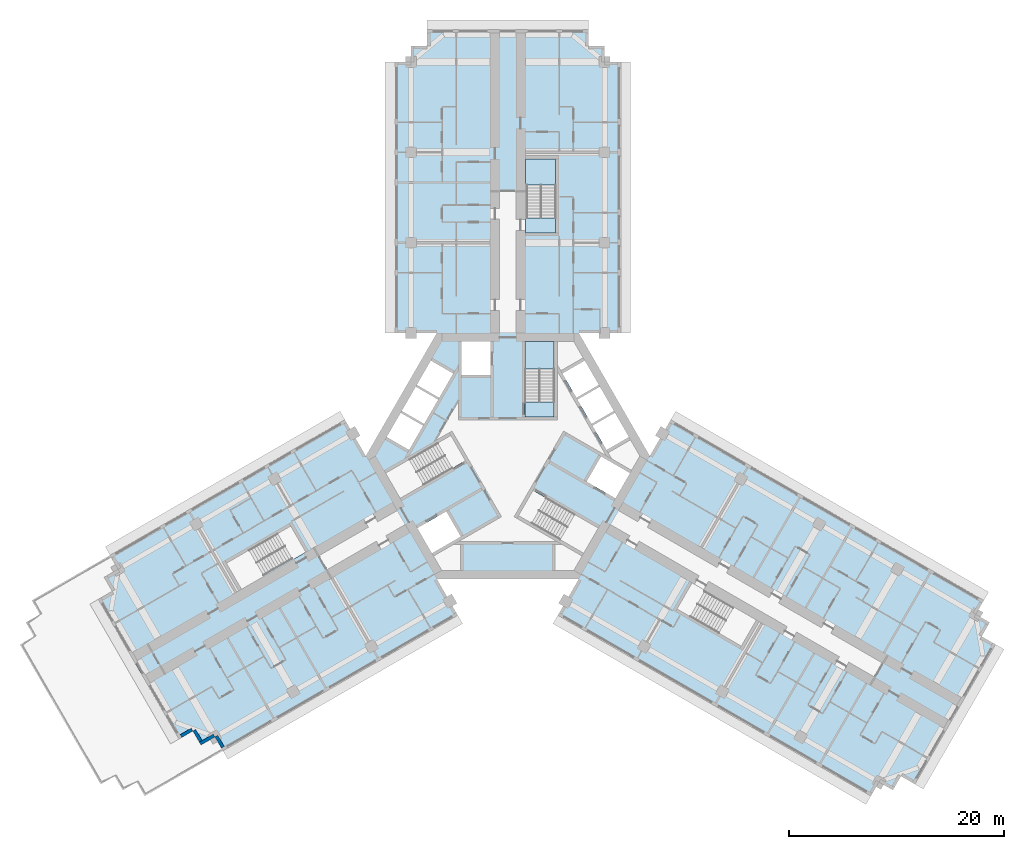
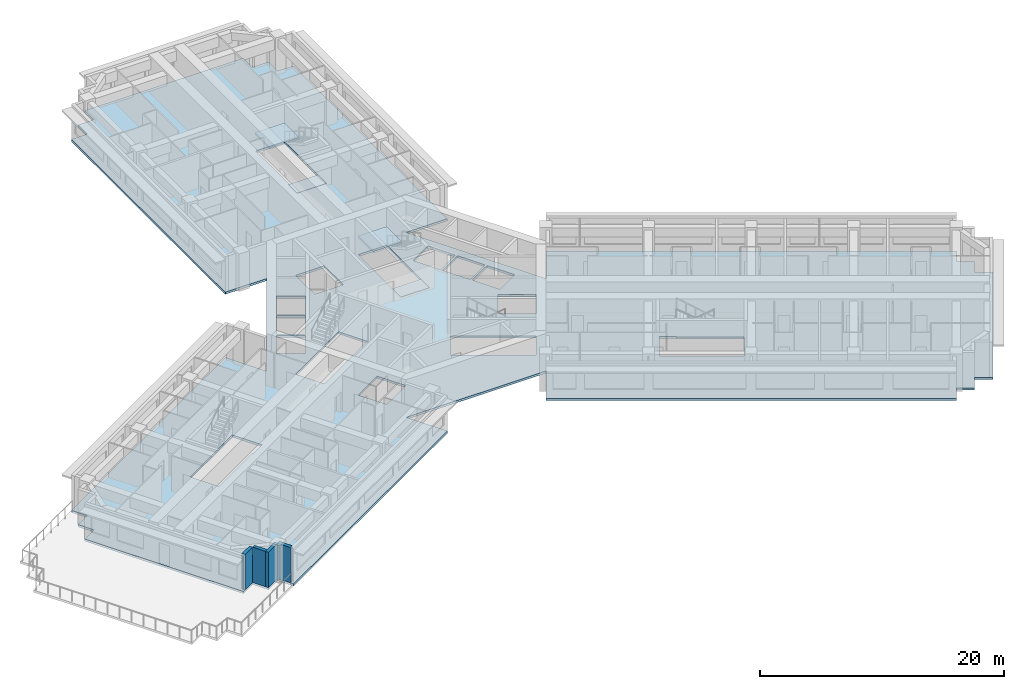
# One storey, part 2 of 15: 5 slabs, 4 walls, 2 elements without a shape of their own.
"""IFC4 building model written with IfcOpenShell, lengths in metres."""

from ifc_helpers import new_model, si_unit, direction, frame, frame_2d, origin, place, context, subcontext, project, spatial, polyline, rectangle, outline, extrude, material, layer, layer_set, type_object, element, aggregate, save


model = new_model("IFC4")

# Units and contexts
model_context = context("Model", 3, precision=1e-05, world=origin(), true_north=direction((0.0, 1.0)))
body_context = subcontext(model_context, "Body", "Model", "MODEL_VIEW")
ifc_project = project(units=[si_unit("LENGTHUNIT", "METRE"), si_unit("AREAUNIT", "SQUARE_METRE"), si_unit("VOLUMEUNIT", "CUBIC_METRE"), si_unit("PLANEANGLEUNIT", "RADIAN"), si_unit("MASSUNIT", "GRAM", prefix="KILO")], contexts=[model_context])

# Site, building, storey
site_placement = place(None, origin())
site = spatial("IfcSite", under=ifc_project, at=site_placement, CompositionType="ELEMENT")
building_placement = place(site_placement, origin())
building = spatial("IfcBuilding", under=site, at=building_placement, Name="Impinga Residences", CompositionType="ELEMENT")
storey_placement = place(building_placement, frame((0.0, 0.0, 132.25)))
storey = spatial("IfcBuildingStorey", under=building, at=storey_placement, Name="L32", CompositionType="ELEMENT", Elevation=132.25)

# Slab
ifc_material_1 = material(Name="Concrete C60/75", Category="concrete")
ifc_layer_1 = layer(ifc_material_1, 0.219970703125)
ifc_layer_set_1 = layer_set([ifc_layer_1], Name="Concrete C60/75")
slab_type_1 = type_object("IfcSlabType", Name="FS1 tower floor slab 220", PredefinedType="FLOOR", material=ifc_layer_set_1)
slab_1_placement = place(storey_placement, frame((0.0, 0.0, -0.219970703125)))
element("IfcSlab", 1, at=slab_1_placement, inside=storey, type_object=slab_type_1, Name="Floor slab FS1 L32", PredefinedType="FLOOR", context=body_context, shape_type="SweptSolid", body=[
    extrude(outline(polyline([(43.49853515625, -14.721435546875), (44.797607421875, -15.471435546875), (44.047607421875, -16.7705078125), (45.346435546875, -17.5205078125), (37.846435546875, -30.510986328125), (36.547607421875, -29.760986328125), (35.797607421875, -31.06005859375), (34.49853515625, -30.31005859375), (33.74853515625, -31.609130859375), (4.64990234375, -14.80908203125), (9.900146484375, -5.7158203125), (6.60009765625, -11.431640625), (-6.60009765625, -11.431640625), (-9.900146484375, -5.7158203125), (-4.64990234375, -14.80908203125), (-26.473876953125, -27.408935546875), (-27.223876953125, -26.110107421875), (-28.52294921875, -26.860107421875), (-29.27294921875, -25.56103515625), (-30.572021484375, -26.31103515625), (-38.072021484375, -13.320556640625), (-36.77294921875, -12.570556640625), (-37.52294921875, -11.271484375), (-36.223876953125, -10.521484375), (-36.973876953125, -9.222412109375), (-15.14990234375, 3.37744140625), (-13.199951171875, 0.0), (-6.60009765625, 11.431640625), (-10.5, 11.431640625), (-10.5, 36.631591796875), (-9.0, 36.631591796875), (-9.0, 38.131591796875), (-7.5, 38.131591796875), (-7.5, 39.631591796875), (7.5, 39.631591796875), (7.5, 38.131591796875), (9.0, 38.131591796875), (9.0, 36.631591796875), (10.5, 36.631591796875), (10.5, 11.431640625), (6.60009765625, 11.431640625), (13.199951171875, 0.0), (15.14990234375, 3.37744140625), (44.24853515625, -13.422607421875), (43.49853515625, -14.721435546875)]), holes=[polyline([(-18.779052734375, -8.936767578125), (-18.8291015625, -8.850341796875), (-18.8291015625, -8.850341796875), (-20.178955078125, -6.511962890625), (-21.391357421875, -7.2119140625), (-21.391357421875, -7.2119140625), (-26.154541015625, -9.9619140625), (-24.8046875, -12.30029296875), (-20.04150390625, -9.55029296875), (-19.991455078125, -9.63671875), (-18.779052734375, -8.936767578125)]), polyline([(-4.37109375, -7.489013671875), (-5.72119140625, -5.150634765625), (-8.4072265625, -6.701416015625), (-7.05712890625, -9.039794921875), (-4.37109375, -7.489013671875)]), polyline([(-3.943603515625, -0.429443359375), (-5.293701171875, 1.908935546875), (-11.357177734375, -1.591796875), (-10.007080078125, -3.93017578125), (-3.943603515625, -0.429443359375)]), polyline([(-7.878662109375, 2.816650390625), (-9.957275390625, 4.016845703125), (-11.257080078125, 1.76513671875), (-9.1787109375, 0.56494140625), (-7.878662109375, 2.816650390625)]), polyline([(-6.478759765625, 5.24169921875), (-8.55712890625, 6.441650390625), (-9.857177734375, 4.18994140625), (-7.77880859375, 2.989990234375), (-6.478759765625, 5.24169921875)]), polyline([(4.300048828125, 3.6298828125), (4.300048828125, 10.631591796875), (1.60009765625, 10.631591796875), (1.60009765625, 3.6298828125), (4.300048828125, 3.6298828125)]), polyline([(-6.378662109375, 5.414794921875), (-5.07861328125, 7.66650390625), (-7.1572265625, 8.866455078125), (-8.457275390625, 6.61474609375), (-6.378662109375, 5.414794921875)]), polyline([(-4.300048828125, 7.530029296875), (-1.60009765625, 7.530029296875), (-1.60009765625, 10.631591796875), (-4.300048828125, 10.631591796875), (-4.300048828125, 7.530029296875)]), polyline([(4.449951171875, 20.7314453125), (4.449951171875, 22.131591796875), (4.449951171875, 27.631591796875), (1.75, 27.631591796875), (1.75, 22.131591796875), (1.64990234375, 22.131591796875), (1.64990234375, 20.7314453125), (1.75, 20.7314453125), (4.449951171875, 20.7314453125)]), polyline([(15.72900390625, -14.219482421875), (21.70458984375, -17.669677734375), (23.0546875, -15.331298828125), (18.29150390625, -12.581298828125), (18.341552734375, -12.49462890625), (17.129150390625, -11.794677734375), (15.72900390625, -14.219482421875)]), polyline([(2.34375, -3.20068359375), (0.99365234375, -5.538818359375), (7.05712890625, -9.039794921875), (8.4072265625, -6.701416015625), (2.34375, -3.20068359375)]), polyline([(7.3212890625, -2.37939453125), (10.007080078125, -3.93017578125), (11.357177734375, -1.591796875), (8.671142578125, -0.041015625), (7.3212890625, -2.37939453125)]), polyline([(7.878662109375, 2.816650390625), (9.1787109375, 0.56494140625), (11.257080078125, 1.76513671875), (9.957275390625, 4.016845703125), (7.878662109375, 2.816650390625)]), polyline([(6.478759765625, 5.24169921875), (7.77880859375, 2.989990234375), (9.857177734375, 4.18994140625), (8.55712890625, 6.441650390625), (6.478759765625, 5.24169921875)]), polyline([(6.378662109375, 5.414794921875), (8.457275390625, 6.61474609375), (7.1572265625, 8.866455078125), (5.07861328125, 7.66650390625), (6.378662109375, 5.414794921875)])]), origin(), (0.0, 0.0, 1.0), 0.219970703125),
])

# Stair, slabs
ifc_material_2 = material(Name="Concrete C40/50", Category="concrete")
stair_type_1 = type_object("IfcStairType", Name="STR core stair 3750 storey, 24 risers", PredefinedType="HALF_TURN_STAIR", material=ifc_material_2)
stair_1_placement = place(storey_placement, origin())
stair_1 = element("IfcStair", 2, at=stair_1_placement, inside=storey, type_object=stair_type_1, Name="Stair ST1 L32", PredefinedType="HALF_TURN_STAIR")
ifc_layer_2 = layer(ifc_material_2, 0.199951171875)
ifc_layer_set_2 = layer_set([ifc_layer_2], Name="Concrete C40/50")
slab_type_2 = type_object("IfcSlabType", Name="LS1 stair landing 200", PredefinedType="LANDING", material=ifc_layer_set_2)
slab_2_placement = place(storey_placement, frame((0.0, 0.0, -0.199951171875)))
slab_2 = element("IfcSlab", 3, at=slab_2_placement, type_object=slab_type_2, Name="ST1 landing 1", PredefinedType="LANDING", context=body_context, shape_type="SweptSolid", body=[
    extrude(outline(polyline([(1.60009765625, 3.6298828125), (4.300048828125, 3.6298828125), (4.300048828125, 5.0400390625), (1.60009765625, 5.0400390625), (1.60009765625, 3.6298828125)])), origin(), (0.0, 0.0, 1.0), 0.199951171875),
])
slab_3_placement = place(storey_placement, frame((0.0, 0.0, 1.675048828125)))
slab_3 = element("IfcSlab", 4, at=slab_3_placement, type_object=slab_type_2, Name="ST1 landing 2", PredefinedType="LANDING", context=body_context, shape_type="SweptSolid", body=[
    extrude(outline(polyline([(1.60009765625, 8.10009765625), (4.300048828125, 8.10009765625), (4.300048828125, 10.631591796875), (1.60009765625, 10.631591796875), (1.60009765625, 8.10009765625)])), origin(), (0.0, 0.0, 1.0), 0.199951171875),
])
aggregate(stair_1, [slab_2, slab_3])

stair_type_2 = type_object("IfcStairType", Name="STR wing stair 3750 storey, 24 risers", PredefinedType="HALF_TURN_STAIR", material=ifc_material_2)
stair_2_placement = place(storey_placement, origin())
stair_2 = element("IfcStair", 5, at=stair_2_placement, inside=storey, type_object=stair_type_2, Name="Stair WS1 L32", PredefinedType="HALF_TURN_STAIR")
slab_4_placement = place(storey_placement, frame((0.0, 0.0, -0.199951171875)))
slab_4 = element("IfcSlab", 6, at=slab_4_placement, type_object=slab_type_2, Name="WS1 landing 1", PredefinedType="LANDING", context=body_context, shape_type="SweptSolid", body=[
    extrude(outline(polyline([(1.64990234375, 20.7314453125), (4.449951171875, 20.7314453125), (4.449951171875, 22.1416015625), (1.64990234375, 22.1416015625), (1.64990234375, 20.7314453125)])), origin(), (0.0, 0.0, 1.0), 0.199951171875),
])
slab_5_placement = place(storey_placement, frame((0.0, 0.0, 1.675048828125)))
slab_5 = element("IfcSlab", 7, at=slab_5_placement, type_object=slab_type_2, Name="WS1 landing 2", PredefinedType="LANDING", context=body_context, shape_type="SweptSolid", body=[
    extrude(outline(polyline([(1.64990234375, 25.201416015625), (4.449951171875, 25.201416015625), (4.449951171875, 27.631591796875), (1.64990234375, 27.631591796875), (1.64990234375, 25.201416015625)])), origin(), (0.0, 0.0, 1.0), 0.199951171875),
])
aggregate(stair_2, [slab_4, slab_5])

# Walls
ifc_material_3 = material(Name="Terracotta rainscreen on blockwork", Category="masonry")
ifc_layer_3 = layer(ifc_material_3, 0.300048828125)
ifc_layer_set_3 = layer_set([ifc_layer_3], Name="EW1 external wall, terracotta rainscreen on blockwork 300")
wall_type = type_object("IfcWallType", Name="EW1 external wall, terracotta rainscreen on blockwork 300", PredefinedType="SOLIDWALL", material=ifc_layer_set_3)
wall_1_placement = place(storey_placement, frame((-26.493896484375, -27.07421875, 0.0), z_axis=(0.0, 0.0, 1.0), x_axis=(-0.500033551112, 0.866006032174, 0.0)))
element("IfcWall", 8, at=wall_1_placement, inside=storey, type_object=wall_type, Name="External wall EW1 L32", PredefinedType="SOLIDWALL", context=body_context, shape_type="SweptSolid", body=[
    extrude(rectangle(XDim=1.2001953125, YDim=0.300048828125, at=frame_2d((0.60009765625, 0.0))), origin(), (0.0, 0.0, 1.0), 3.530029296875),
])
wall_2_placement = place(storey_placement, frame((-27.30322265625, -25.982666015625, 0.0), z_axis=(0.0, 0.0, 1.0), x_axis=(-0.866074087889, -0.499915667175, 0.0)))
element("IfcWall", 9, at=wall_2_placement, inside=storey, type_object=wall_type, Name="External wall EW1 L32", PredefinedType="SOLIDWALL", context=body_context, shape_type="SweptSolid", body=[
    extrude(rectangle(XDim=1.494873046875, YDim=0.300048828125, at=frame_2d((0.74755859375, 0.0))), origin(), (0.0, 0.0, 1.0), 3.530029296875),
])
wall_3_placement = place(storey_placement, frame((-28.54296875, -26.525146484375, 0.0), z_axis=(0.0, 0.0, 1.0), x_axis=(-0.500033551112, 0.866006032174, 0.0)))
element("IfcWall", 10, at=wall_3_placement, inside=storey, type_object=wall_type, Name="External wall EW1 L32", PredefinedType="SOLIDWALL", context=body_context, shape_type="SweptSolid", body=[
    extrude(rectangle(XDim=1.2001953125, YDim=0.300048828125, at=frame_2d((0.60009765625, 0.0))), origin(), (0.0, 0.0, 1.0), 3.530029296875),
])
wall_4_placement = place(storey_placement, frame((-29.352294921875, -25.43359375, 0.0), z_axis=(0.0, 0.0, 1.0), x_axis=(-0.866059708757, -0.499940577336, 0.0)))
element("IfcWall", 11, at=wall_4_placement, inside=storey, type_object=wall_type, Name="External wall EW1 L32", PredefinedType="SOLIDWALL", context=body_context, shape_type="SweptSolid", body=[
    extrude(rectangle(XDim=1.195068359375, YDim=0.300048828125, at=frame_2d((0.59765625, 0.0))), origin(), (0.0, 0.0, 1.0), 3.530029296875),
])

save(model, "model.ifc")
